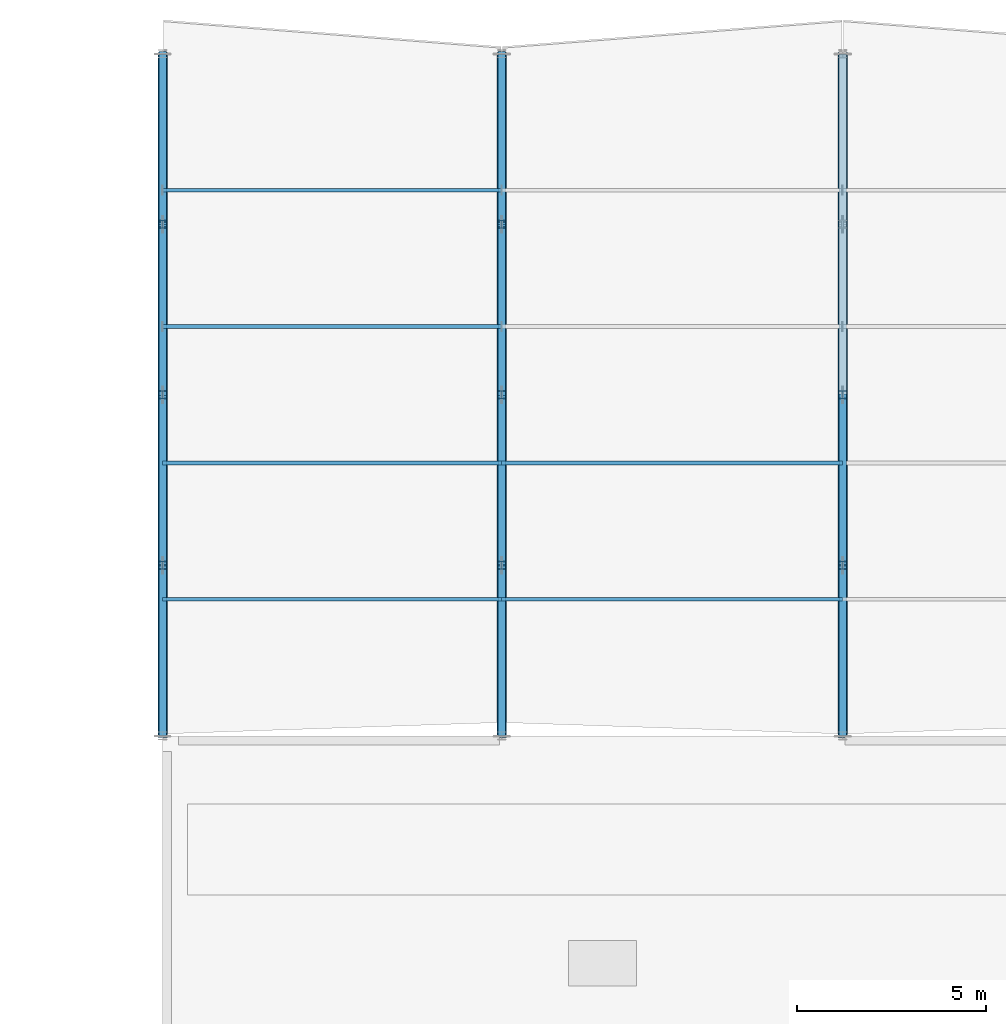
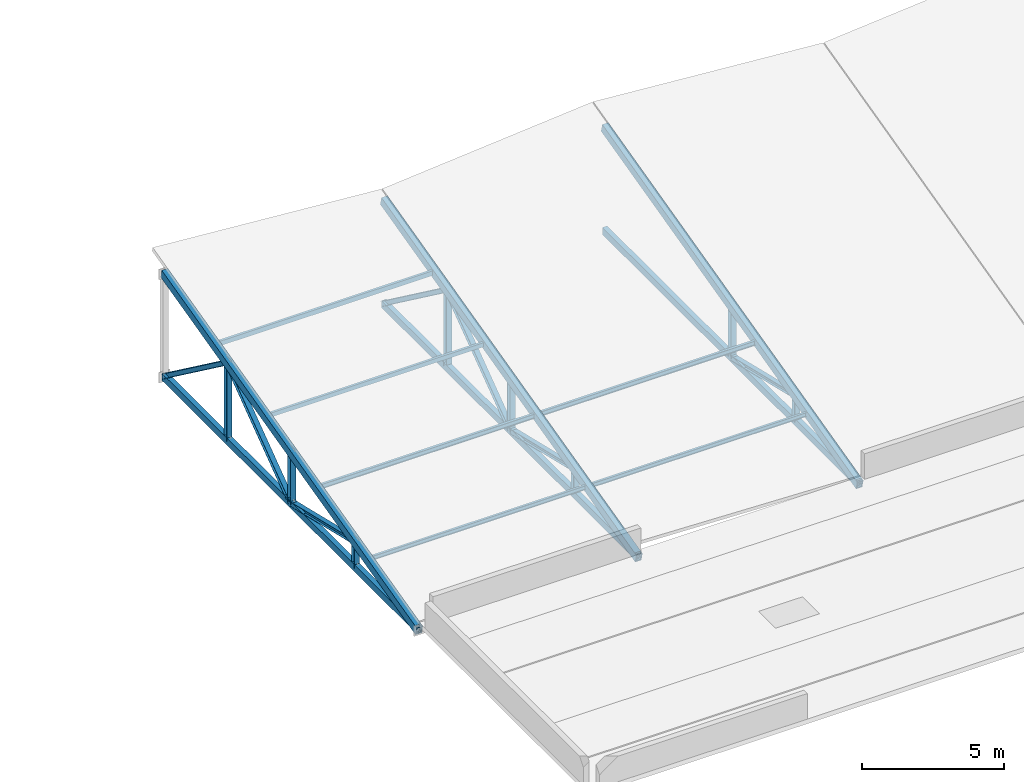
# One storey, part 7 of 36: 30 members.
"""IFC4 building model written with IfcOpenShell, lengths in metres."""

from ifc_helpers import new_model, si_unit, direction, frame, origin, origin_2d, place, context, subcontext, project, spatial, hollow_rectangle, i_section, extrude, material, material_profile, profile_set, type_object, element, save


model = new_model("IFC4")

# Units and contexts
model_context = context("Model", 3, precision=1e-05, world=origin(), true_north=direction((0.0, 1.0)))
body_context = subcontext(model_context, "Body", "Model", "MODEL_VIEW")
ifc_project = project(units=[si_unit("LENGTHUNIT", "METRE"), si_unit("AREAUNIT", "SQUARE_METRE"), si_unit("VOLUMEUNIT", "CUBIC_METRE"), si_unit("PLANEANGLEUNIT", "RADIAN"), si_unit("MASSUNIT", "GRAM", prefix="KILO")], contexts=[model_context])

# Site, building, storey
site_placement = place(None, origin())
site = spatial("IfcSite", under=ifc_project, at=site_placement, CompositionType="ELEMENT")
building_placement = place(site_placement, origin())
building = spatial("IfcBuilding", under=site, at=building_placement, Name="Montelvaro Courts of Justice", CompositionType="ELEMENT")
storey_placement = place(building_placement, frame((0.0, 0.0, 23.39990234375)))
storey = spatial("IfcBuildingStorey", under=building, at=storey_placement, Name="L05", CompositionType="ELEMENT", Elevation=23.39990234375)

# Members
ifc_material = material(Name="Steel S355", Category="steel")
ifc_material_profile_1 = material_profile(ifc_material, i_section(OverallWidth=0.199951171875, OverallDepth=0.18994140625, WebThickness=0.006591796875, FlangeThickness=0.010009765625, at=origin_2d()), Name="HEA 200")
ifc_profile_set_1 = profile_set([ifc_material_profile_1], Name="Steel S355")
member_type_1 = type_object("IfcMemberType", Name="Mem_HEA200_Brace", PredefinedType="BRACE", material=ifc_profile_set_1)
for number, where, z_axis, x_axis, name in (
    (1, (99.050048828125, 78.0, -0.2998046875), (0.0, 0.97263439265, 0.232340995597), (-1.0, 0.0, 0.0), "Roof Truss Web MB-02 ROOF-V2-VTR01-W1"),
    (2, (99.050048828125, 82.5, 0.775146484375), (0.0, 0.97263439265, -0.232340995597), (-1.0, 0.0, 0.0), "Roof Truss Web MB-02 ROOF-V2-VTR01-W2"),
):
    element("IfcMember", number, at=place(storey_placement, frame(where, z_axis=z_axis, x_axis=x_axis)), inside=storey, type_object=member_type_1, Name=name, PredefinedType="BRACE", context=body_context, shape_type="SweptSolid", body=[
        extrude(i_section(OverallWidth=0.199951171875, OverallDepth=0.18994140625, WebThickness=0.006591796875, FlangeThickness=0.010009765625, at=origin_2d()), origin(), (0.0, 0.0, 1.0), 4.626708984375),
    ])
for number, where, z_axis, x_axis, name in (
    (3, (99.050048828125, 87.0, -0.2998046875), (0.0, 0.804273161752, 0.594259775928), (-1.0, 0.0, 0.0), "Roof Truss Web MB-02 ROOF-V2-VTR01-W3"),
    (4, (99.050048828125, 91.5, 3.025146484375), (0.0, 0.804273161752, -0.594259775928), (-1.0, 0.0, 0.0), "Roof Truss Web MB-02 ROOF-V2-VTR01-W4"),
):
    element("IfcMember", number, at=place(storey_placement, frame(where, z_axis=z_axis, x_axis=x_axis)), inside=storey, type_object=member_type_1, Name=name, PredefinedType="BRACE", context=body_context, shape_type="SweptSolid", body=[
        extrude(i_section(OverallWidth=0.199951171875, OverallDepth=0.18994140625, WebThickness=0.006591796875, FlangeThickness=0.010009765625, at=origin_2d()), origin(), (0.0, 0.0, 1.0), 5.59521484375),
    ])
for number, where, z_axis, x_axis, name in (
    (5, (108.0, 78.0, -0.2998046875), (0.0, 0.97263439265, 0.232340995597), (-1.0, 0.0, 0.0), "Roof Truss Web MB-02 ROOF-V2-VTR02-W1"),
    (6, (108.0, 82.5, 0.775146484375), (0.0, 0.97263439265, -0.232340995597), (-1.0, 0.0, 0.0), "Roof Truss Web MB-02 ROOF-V2-VTR02-W2"),
):
    element("IfcMember", number, at=place(storey_placement, frame(where, z_axis=z_axis, x_axis=x_axis)), inside=storey, type_object=member_type_1, Name=name, PredefinedType="BRACE", context=body_context, shape_type="SweptSolid", body=[
        extrude(i_section(OverallWidth=0.199951171875, OverallDepth=0.18994140625, WebThickness=0.006591796875, FlangeThickness=0.010009765625, at=origin_2d()), origin(), (0.0, 0.0, 1.0), 4.626708984375),
    ])
for number, where, z_axis, x_axis, name in (
    (7, (108.0, 87.0, -0.2998046875), (0.0, 0.804273161752, 0.594259775928), (-1.0, 0.0, 0.0), "Roof Truss Web MB-02 ROOF-V2-VTR02-W3"),
    (8, (108.0, 91.5, 3.025146484375), (0.0, 0.804273161752, -0.594259775928), (-1.0, 0.0, 0.0), "Roof Truss Web MB-02 ROOF-V2-VTR02-W4"),
):
    element("IfcMember", number, at=place(storey_placement, frame(where, z_axis=z_axis, x_axis=x_axis)), inside=storey, type_object=member_type_1, Name=name, PredefinedType="BRACE", context=body_context, shape_type="SweptSolid", body=[
        extrude(i_section(OverallWidth=0.199951171875, OverallDepth=0.18994140625, WebThickness=0.006591796875, FlangeThickness=0.010009765625, at=origin_2d()), origin(), (0.0, 0.0, 1.0), 5.59521484375),
    ])
for number, where, z_axis, x_axis, name in (
    (9, (117.0, 78.0, -0.2998046875), (0.0, 0.97263439265, 0.232340995597), (-1.0, 0.0, 0.0), "Roof Truss Web MB-02 ROOF-V2-VTR03-W1"),
    (10, (117.0, 82.5, 0.775146484375), (0.0, 0.97263439265, -0.232340995597), (-1.0, 0.0, 0.0), "Roof Truss Web MB-02 ROOF-V2-VTR03-W2"),
):
    element("IfcMember", number, at=place(storey_placement, frame(where, z_axis=z_axis, x_axis=x_axis)), inside=storey, type_object=member_type_1, Name=name, PredefinedType="BRACE", context=body_context, shape_type="SweptSolid", body=[
        extrude(i_section(OverallWidth=0.199951171875, OverallDepth=0.18994140625, WebThickness=0.006591796875, FlangeThickness=0.010009765625, at=origin_2d()), origin(), (0.0, 0.0, 1.0), 4.626708984375),
    ])
ifc_material_profile_2 = material_profile(ifc_material, i_section(OverallWidth=0.219970703125, OverallDepth=0.2099609375, WebThickness=0.007080078125, FlangeThickness=0.010986328125, at=origin_2d()), Name="HEA 220")
ifc_profile_set_2 = profile_set([ifc_material_profile_2], Name="Steel S355")
member_type_2 = type_object("IfcMemberType", Name="Mem_HEA220_Post", PredefinedType="POST", material=ifc_profile_set_2)
member_1_placement = place(storey_placement, frame((99.050048828125, 82.5, -0.2998046875), z_axis=(0.0, 0.0, 1.0), x_axis=(1.0, 0.0, 0.0)))
element("IfcMember", 11, at=member_1_placement, inside=storey, type_object=member_type_2, Name="Roof Truss Post MP-03 ROOF-V2-VTR01-V1", PredefinedType="POST", context=body_context, shape_type="SweptSolid", body=[
    extrude(i_section(OverallWidth=0.219970703125, OverallDepth=0.2099609375, WebThickness=0.007080078125, FlangeThickness=0.010986328125, at=origin_2d()), origin(), (0.0, 0.0, 1.0), 1.074951171875),
])
member_2_placement = place(storey_placement, frame((99.050048828125, 87.0, -0.2998046875), z_axis=(0.0, 0.0, 1.0), x_axis=(1.0, 0.0, 0.0)))
element("IfcMember", 12, at=member_2_placement, inside=storey, type_object=member_type_2, Name="Roof Truss Post MP-03 ROOF-V2-VTR01-V2", PredefinedType="POST", context=body_context, shape_type="SweptSolid", body=[
    extrude(i_section(OverallWidth=0.219970703125, OverallDepth=0.2099609375, WebThickness=0.007080078125, FlangeThickness=0.010986328125, at=origin_2d()), origin(), (0.0, 0.0, 1.0), 2.199951171875),
])
member_3_placement = place(storey_placement, frame((99.050048828125, 91.5, -0.2998046875), z_axis=(0.0, 0.0, 1.0), x_axis=(1.0, 0.0, 0.0)))
element("IfcMember", 13, at=member_3_placement, inside=storey, type_object=member_type_2, Name="Roof Truss Post MP-03 ROOF-V2-VTR01-V3", PredefinedType="POST", context=body_context, shape_type="SweptSolid", body=[
    extrude(i_section(OverallWidth=0.219970703125, OverallDepth=0.2099609375, WebThickness=0.007080078125, FlangeThickness=0.010986328125, at=origin_2d()), origin(), (0.0, 0.0, 1.0), 3.324951171875),
])
member_4_placement = place(storey_placement, frame((108.0, 82.5, -0.2998046875), z_axis=(0.0, 0.0, 1.0), x_axis=(1.0, 0.0, 0.0)))
element("IfcMember", 14, at=member_4_placement, inside=storey, type_object=member_type_2, Name="Roof Truss Post MP-03 ROOF-V2-VTR02-V1", PredefinedType="POST", context=body_context, shape_type="SweptSolid", body=[
    extrude(i_section(OverallWidth=0.219970703125, OverallDepth=0.2099609375, WebThickness=0.007080078125, FlangeThickness=0.010986328125, at=origin_2d()), origin(), (0.0, 0.0, 1.0), 1.074951171875),
])
member_5_placement = place(storey_placement, frame((108.0, 87.0, -0.2998046875), z_axis=(0.0, 0.0, 1.0), x_axis=(1.0, 0.0, 0.0)))
element("IfcMember", 15, at=member_5_placement, inside=storey, type_object=member_type_2, Name="Roof Truss Post MP-03 ROOF-V2-VTR02-V2", PredefinedType="POST", context=body_context, shape_type="SweptSolid", body=[
    extrude(i_section(OverallWidth=0.219970703125, OverallDepth=0.2099609375, WebThickness=0.007080078125, FlangeThickness=0.010986328125, at=origin_2d()), origin(), (0.0, 0.0, 1.0), 2.199951171875),
])
member_6_placement = place(storey_placement, frame((108.0, 91.5, -0.2998046875), z_axis=(0.0, 0.0, 1.0), x_axis=(1.0, 0.0, 0.0)))
element("IfcMember", 16, at=member_6_placement, inside=storey, type_object=member_type_2, Name="Roof Truss Post MP-03 ROOF-V2-VTR02-V3", PredefinedType="POST", context=body_context, shape_type="SweptSolid", body=[
    extrude(i_section(OverallWidth=0.219970703125, OverallDepth=0.2099609375, WebThickness=0.007080078125, FlangeThickness=0.010986328125, at=origin_2d()), origin(), (0.0, 0.0, 1.0), 3.324951171875),
])
member_7_placement = place(storey_placement, frame((117.0, 82.5, -0.2998046875), z_axis=(0.0, 0.0, 1.0), x_axis=(1.0, 0.0, 0.0)))
element("IfcMember", 17, at=member_7_placement, inside=storey, type_object=member_type_2, Name="Roof Truss Post MP-03 ROOF-V2-VTR03-V1", PredefinedType="POST", context=body_context, shape_type="SweptSolid", body=[
    extrude(i_section(OverallWidth=0.219970703125, OverallDepth=0.2099609375, WebThickness=0.007080078125, FlangeThickness=0.010986328125, at=origin_2d()), origin(), (0.0, 0.0, 1.0), 1.074951171875),
])
member_8_placement = place(storey_placement, frame((117.0, 87.0, -0.2998046875), z_axis=(0.0, 0.0, 1.0), x_axis=(1.0, 0.0, 0.0)))
element("IfcMember", 18, at=member_8_placement, inside=storey, type_object=member_type_2, Name="Roof Truss Post MP-03 ROOF-V2-VTR03-V2", PredefinedType="POST", context=body_context, shape_type="SweptSolid", body=[
    extrude(i_section(OverallWidth=0.219970703125, OverallDepth=0.2099609375, WebThickness=0.007080078125, FlangeThickness=0.010986328125, at=origin_2d()), origin(), (0.0, 0.0, 1.0), 2.199951171875),
])
ifc_material_profile_3 = material_profile(ifc_material, i_section(OverallWidth=0.091064453125, OverallDepth=0.179931640625, WebThickness=0.00537109375, FlangeThickness=0.008056640625, at=origin_2d()), Name="IPE 180")
ifc_profile_set_3 = profile_set([ifc_material_profile_3], Name="Steel S355")
member_type_3 = type_object("IfcMemberType", Name="Mem_IPE180_Purlin", PredefinedType="PURLIN", material=ifc_profile_set_3)
member_9_placement = place(storey_placement, frame((99.050048828125, 81.60009765625, 0.550048828125), z_axis=(1.0, 0.0, 0.0), x_axis=(0.0, 1.0, 0.0)))
element("IfcMember", 19, at=member_9_placement, inside=storey, type_object=member_type_3, Name="Roof Purlin MR-01 ROOF-V2-PRL-01-1M", PredefinedType="PURLIN", context=body_context, shape_type="SweptSolid", body=[
    extrude(i_section(OverallWidth=0.091064453125, OverallDepth=0.179931640625, WebThickness=0.00537109375, FlangeThickness=0.008056640625, at=origin_2d()), origin(), (0.0, 0.0, 1.0), 8.949951171875),
])
member_10_placement = place(storey_placement, frame((108.0, 81.60009765625, 0.550048828125), z_axis=(1.0, 0.0, 0.0), x_axis=(0.0, 1.0, 0.0)))
element("IfcMember", 20, at=member_10_placement, inside=storey, type_object=member_type_3, Name="Roof Purlin MR-01 ROOF-V2-PRL-02-1M", PredefinedType="PURLIN", context=body_context, shape_type="SweptSolid", body=[
    extrude(i_section(OverallWidth=0.091064453125, OverallDepth=0.179931640625, WebThickness=0.00537109375, FlangeThickness=0.008056640625, at=origin_2d()), origin(), (0.0, 0.0, 1.0), 9.0),
])
ifc_material_profile_4 = material_profile(ifc_material, i_section(OverallWidth=0.10009765625, OverallDepth=0.199951171875, WebThickness=0.005615234375, FlangeThickness=0.008544921875, at=origin_2d()), Name="IPE 200")
ifc_profile_set_4 = profile_set([ifc_material_profile_4], Name="Steel S355")
member_type_4 = type_object("IfcMemberType", Name="Mem_IPE200_Purlin", PredefinedType="PURLIN", material=ifc_profile_set_4)
member_11_placement = place(storey_placement, frame((99.050048828125, 85.199951171875, 1.4501953125), z_axis=(1.0, 0.0, 0.0), x_axis=(0.0, 1.0, 0.0)))
element("IfcMember", 21, at=member_11_placement, inside=storey, type_object=member_type_4, Name="Roof Purlin MR-02 ROOF-V2-PRL-01-2M", PredefinedType="PURLIN", context=body_context, shape_type="SweptSolid", body=[
    extrude(i_section(OverallWidth=0.10009765625, OverallDepth=0.199951171875, WebThickness=0.005615234375, FlangeThickness=0.008544921875, at=origin_2d()), origin(), (0.0, 0.0, 1.0), 8.949951171875),
])
member_12_placement = place(storey_placement, frame((108.0, 85.199951171875, 1.4501953125), z_axis=(1.0, 0.0, 0.0), x_axis=(0.0, 1.0, 0.0)))
element("IfcMember", 22, at=member_12_placement, inside=storey, type_object=member_type_4, Name="Roof Purlin MR-02 ROOF-V2-PRL-02-2M", PredefinedType="PURLIN", context=body_context, shape_type="SweptSolid", body=[
    extrude(i_section(OverallWidth=0.10009765625, OverallDepth=0.199951171875, WebThickness=0.005615234375, FlangeThickness=0.008544921875, at=origin_2d()), origin(), (0.0, 0.0, 1.0), 9.0),
])
ifc_material_profile_5 = material_profile(ifc_material, hollow_rectangle(XDim=0.10009765625, YDim=0.179931640625, WallThickness=0.008056640625, at=origin_2d()), Name="RHS 180x100x8")
ifc_profile_set_5 = profile_set([ifc_material_profile_5], Name="Steel S355")
member_type_5 = type_object("IfcMemberType", Name="Mem_RHS180_Purlin", PredefinedType="PURLIN", material=ifc_profile_set_5)
member_13_placement = place(storey_placement, frame((99.050048828125, 88.800048828125, 2.35009765625), z_axis=(1.0, 0.0, 0.0), x_axis=(0.0, 1.0, 0.0)))
element("IfcMember", 23, at=member_13_placement, inside=storey, type_object=member_type_5, Name="Roof Purlin MR-03 ROOF-V2-PRL-01-3M", PredefinedType="PURLIN", context=body_context, shape_type="SweptSolid", body=[
    extrude(hollow_rectangle(XDim=0.10009765625, YDim=0.179931640625, WallThickness=0.008056640625, at=origin_2d()), origin(), (0.0, 0.0, 1.0), 8.949951171875),
])
ifc_material_profile_6 = material_profile(ifc_material, hollow_rectangle(XDim=0.10009765625, YDim=0.199951171875, WallThickness=0.008056640625, at=origin_2d()), Name="RHS 200x100x8")
ifc_profile_set_6 = profile_set([ifc_material_profile_6], Name="Steel S355")
member_type_6 = type_object("IfcMemberType", Name="Mem_RHS200_Purlin", PredefinedType="PURLIN", material=ifc_profile_set_6)
member_14_placement = place(storey_placement, frame((99.050048828125, 92.39990234375, 3.25), z_axis=(1.0, 0.0, 0.0), x_axis=(0.0, 1.0, 0.0)))
element("IfcMember", 24, at=member_14_placement, inside=storey, type_object=member_type_6, Name="Roof Purlin MR-04 ROOF-V2-PRL-01-4M", PredefinedType="PURLIN", context=body_context, shape_type="SweptSolid", body=[
    extrude(hollow_rectangle(XDim=0.10009765625, YDim=0.199951171875, WallThickness=0.008056640625, at=origin_2d()), origin(), (0.0, 0.0, 1.0), 8.949951171875),
])
ifc_material_profile_7 = material_profile(ifc_material, hollow_rectangle(XDim=0.199951171875, YDim=0.300048828125, WallThickness=0.012451171875, at=origin_2d()), Name="RHS 300x200x12.5")
ifc_profile_set_7 = profile_set([ifc_material_profile_7], Name="Steel S355")
member_type_7 = type_object("IfcMemberType", Name="Mem_RHS300_Chord", PredefinedType="CHORD", material=ifc_profile_set_7)
for number, where, z_axis, x_axis, name in (
    (25, (99.050048828125, 78.0, -0.2998046875), (0.0, 1.0, 0.0), (-1.0, 0.0, 0.0), "Roof Truss ROOF-V2-VTR01 Bottom Chord"),
    (26, (108.0, 78.0, -0.2998046875), (0.0, 1.0, 0.0), (-1.0, 0.0, 0.0), "Roof Truss ROOF-V2-VTR02 Bottom Chord"),
    (27, (117.0, 78.0, -0.2998046875), (0.0, 1.0, 0.0), (-1.0, 0.0, 0.0), "Roof Truss ROOF-V2-VTR03 Bottom Chord"),
):
    element("IfcMember", number, at=place(storey_placement, frame(where, z_axis=z_axis, x_axis=x_axis)), inside=storey, type_object=member_type_7, Name=name, PredefinedType="CHORD", context=body_context, shape_type="SweptSolid", body=[
        extrude(hollow_rectangle(XDim=0.199951171875, YDim=0.300048828125, WallThickness=0.012451171875, at=origin_2d()), origin(), (0.0, 0.0, 1.0), 18.0),
    ])
ifc_material_profile_8 = material_profile(ifc_material, hollow_rectangle(XDim=0.25, YDim=0.35009765625, WallThickness=0.012451171875, at=origin_2d()), Name="RHS 350x250x12.5")
ifc_profile_set_8 = profile_set([ifc_material_profile_8], Name="Steel S355")
member_type_8 = type_object("IfcMemberType", Name="Mem_RHS350_Chord", PredefinedType="CHORD", material=ifc_profile_set_8)
for number, where, z_axis, x_axis, name in (
    (28, (99.050048828125, 78.0, -0.349853515625), (0.0, 0.970142500145, 0.242535625036), (-1.0, 0.0, 0.0), "Roof Truss ROOF-V2-VTR01 Top Chord"),
    (29, (108.0, 78.0, -0.349853515625), (0.0, 0.970142500145, 0.242535625036), (-1.0, 0.0, 0.0), "Roof Truss ROOF-V2-VTR02 Top Chord"),
    (30, (117.0, 78.0, -0.349853515625), (0.0, 0.970142500145, 0.242535625036), (-1.0, 0.0, 0.0), "Roof Truss ROOF-V2-VTR03 Top Chord"),
):
    element("IfcMember", number, at=place(storey_placement, frame(where, z_axis=z_axis, x_axis=x_axis)), inside=storey, type_object=member_type_8, Name=name, PredefinedType="CHORD", context=body_context, shape_type="SweptSolid", body=[
        extrude(hollow_rectangle(XDim=0.25, YDim=0.35009765625, WallThickness=0.012451171875, at=origin_2d()), origin(), (0.0, 0.0, 1.0), 18.553955078125),
    ])

save(model, "model.ifc")
